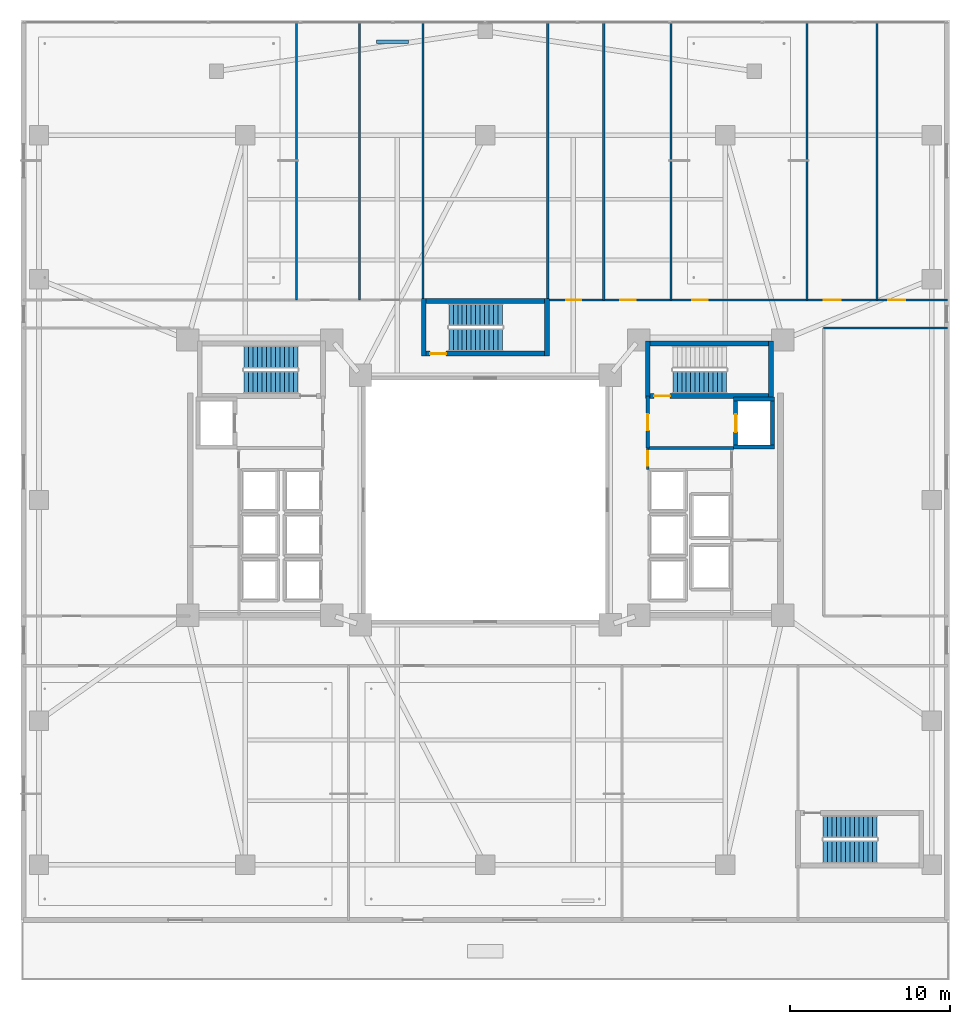
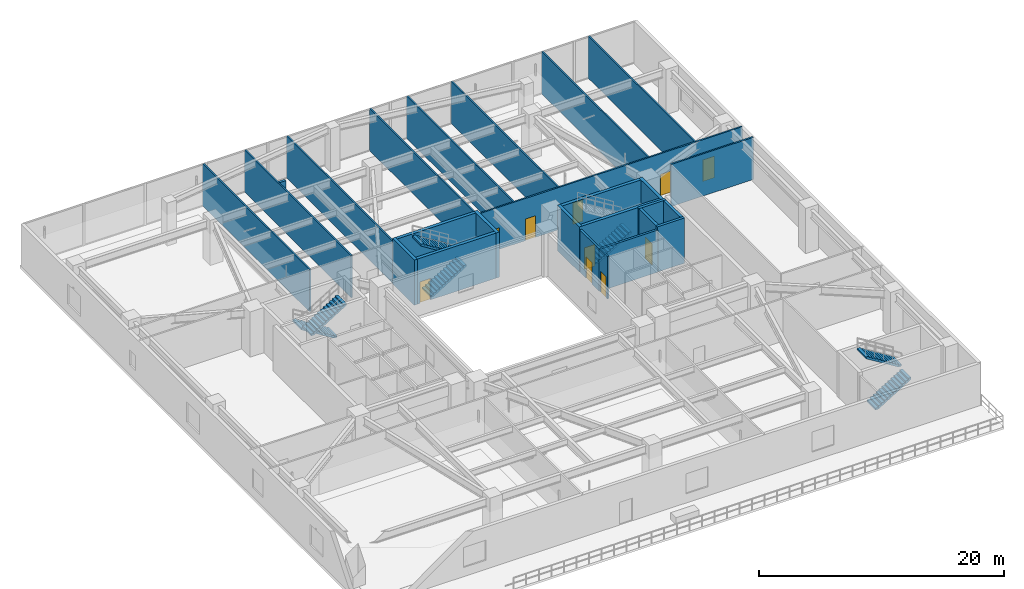
# One storey, part 11 of 22: 26 walls, 10 doors, 7 stair flights, 10 openings, 4 elements without a shape of their own.
"""IFC4 building model written with IfcOpenShell, lengths in metres."""

from ifc_helpers import new_model, si_unit, direction, frame, frame_2d, origin, place, context, subcontext, project, spatial, polyline, rectangle, outline, extrude, material, layer, layer_set, type_object, element, fill, aggregate, save


model = new_model("IFC4")

# Units and contexts
model_context = context("Model", 3, precision=1e-05, world=origin(), true_north=direction((0.0, 1.0)))
body_context = subcontext(model_context, "Body", "Model", "MODEL_VIEW")
ifc_project = project(units=[si_unit("LENGTHUNIT", "METRE"), si_unit("AREAUNIT", "SQUARE_METRE"), si_unit("VOLUMEUNIT", "CUBIC_METRE"), si_unit("PLANEANGLEUNIT", "RADIAN"), si_unit("MASSUNIT", "GRAM", prefix="KILO")], contexts=[model_context])

# Site, building, storey
site_placement = place(None, origin())
site = spatial("IfcSite", under=ifc_project, at=site_placement, CompositionType="ELEMENT")
building_placement = place(site_placement, origin())
building = spatial("IfcBuilding", under=site, at=building_placement, Name="Tarnavaz Court Tower", CompositionType="ELEMENT")
storey_placement = place(building_placement, frame((0.0, 0.0, 14.39990234375)))
storey = spatial("IfcBuildingStorey", under=building, at=storey_placement, Name="L03", CompositionType="ELEMENT", Elevation=14.39990234375)

# Wall, opening, door
ifc_material_1 = material(Name="Concrete C60/75", Category="concrete")
ifc_layer_1 = layer(ifc_material_1, 0.25)
ifc_layer_set_1 = layer_set([ifc_layer_1], Name="Concrete C60/75")
wall_type_1 = type_object("IfcWallType", Name="WL-CORE-250-C60", PredefinedType="SHEAR", material=ifc_layer_set_1)
wall_1_placement = place(storey_placement, frame((15.64990234375, 3.175048828125, 0.0), z_axis=(0.0, 0.0, 1.0), x_axis=(0.0, 1.0, 0.0)))
wall_1 = element("IfcWall", 1, at=wall_1_placement, inside=storey, type_object=wall_type_1, Name="L03 Lift FL-E1 Shaft Wall 049", PredefinedType="SHEAR", context=body_context, shape_type="SweptSolid", body=[
    extrude(rectangle(XDim=3.25, YDim=0.25, at=frame_2d((1.625, 0.0))), origin(), (0.0, 0.0, 1.0), 4.5),
])
opening_1_placement = place(wall_1_placement, frame((1.074951171875, 0.0, 0.0)))
opening_1 = element("IfcOpeningElement", 2, at=opening_1_placement, cuts=wall_1, Name="Opening LD1", PredefinedType="OPENING", context=body_context, shape_type="SweptSolid", body=[
    extrude(rectangle(XDim=1.10009765625, YDim=2.14990234375, at=frame_2d((0.550048828125, 1.074951171875))), frame((0.0, 0.135009765625, 0.0), z_axis=(0.0, -1.0, 0.0), x_axis=(1.0, 0.0, 0.0)), (0.0, 0.0, 1.0), 0.27001953125),
])
ifc_material_2 = material(Name="Stainless Steel", Category="steel")
door_type_1 = type_object("IfcDoorType", Name="DR-LD-1100", OperationType="NOTDEFINED", PredefinedType="DOOR", material=ifc_material_2)
door_1_placement = place(opening_1_placement, origin())
door_1 = element("IfcDoor", 3, at=door_1_placement, inside=storey, type_object=door_type_1, Name="L03 Lift Landing Door LD-FL-E1", OperationType="SLIDING_TO_LEFT", OverallHeight=2.14990234375, OverallWidth=1.10009765625, PredefinedType="DOOR", context=body_context, shape_type="SweptSolid", body=[
    extrude(rectangle(XDim=1.10009765625, YDim=2.14990234375, at=frame_2d((0.550048828125, 1.074951171875))), frame((0.0, 0.02490234375, 0.0), z_axis=(0.0, -1.0, 0.0), x_axis=(1.0, 0.0, 0.0)), (0.0, 0.0, 1.0), 0.050048828125),
])
fill(opening_1, door_1)

# Walls
wall_2_placement = place(storey_placement, frame((17.949951171875, 3.175048828125, 0.0), z_axis=(0.0, 0.0, 1.0), x_axis=(0.0, 1.0, 0.0)))
element("IfcWall", 4, at=wall_2_placement, inside=storey, type_object=wall_type_1, Name="L03 Lift FL-E1 Shaft Wall 050", PredefinedType="SHEAR", context=body_context, shape_type="SweptSolid", body=[
    extrude(rectangle(XDim=3.25, YDim=0.25, at=frame_2d((1.625, 0.0))), origin(), (0.0, 0.0, 1.0), 4.5),
])
for number, where, z_axis, x_axis, name in (
    (5, (15.52490234375, 3.300048828125, 0.0), (0.0, 0.0, 1.0), (1.0, 0.0, 0.0), "L03 Lift FL-E1 Shaft Wall 051"),
    (6, (15.52490234375, 6.300048828125, 0.0), (0.0, 0.0, 1.0), (1.0, 0.0, 0.0), "L03 Lift FL-E1 Shaft Wall 052"),
):
    element("IfcWall", number, at=place(storey_placement, frame(where, z_axis=z_axis, x_axis=x_axis)), inside=storey, type_object=wall_type_1, Name=name, PredefinedType="SHEAR", context=body_context, shape_type="SweptSolid", body=[
        extrude(rectangle(XDim=2.550048828125, YDim=0.25, at=frame_2d((1.27490234375, 0.0))), origin(), (0.0, 0.0, 1.0), 4.5),
    ])
ifc_layer_2 = layer(ifc_material_1, 0.300048828125)
ifc_layer_set_2 = layer_set([ifc_layer_2], Name="Concrete C60/75")
wall_type_2 = type_object("IfcWallType", Name="WL-CORE-300-C60", PredefinedType="SHEAR", material=ifc_layer_set_2)
wall_3_placement = place(storey_placement, frame((10.0, 9.7900390625, 0.0), z_axis=(0.0, 0.0, 1.0), x_axis=(1.0, 0.0, 0.0)))
element("IfcWall", 7, at=wall_3_placement, inside=storey, type_object=wall_type_2, Name="L03 East Stair Core Wall 005", PredefinedType="SHEAR", context=body_context, shape_type="SweptSolid", body=[
    extrude(rectangle(XDim=8.0, YDim=0.300048828125, at=frame_2d((4.0, 0.0))), origin(), (0.0, 0.0, 1.0), 4.5),
])

# Wall, opening, door
wall_4_placement = place(storey_placement, frame((10.0, 6.5, 0.0), z_axis=(0.0, 0.0, 1.0), x_axis=(1.0, 0.0, 0.0)))
wall_4 = element("IfcWall", 8, at=wall_4_placement, inside=storey, type_object=wall_type_2, Name="L03 East Stair Core Wall 006", PredefinedType="SHEAR", context=body_context, shape_type="SweptSolid", body=[
    extrude(rectangle(XDim=8.0, YDim=0.300048828125, at=frame_2d((4.0, 0.0))), origin(), (0.0, 0.0, 1.0), 4.5),
])
opening_2_placement = place(wall_4_placement, frame((0.550048828125, 0.0, 0.0)))
opening_2 = element("IfcOpeningElement", 9, at=opening_2_placement, cuts=wall_4, Name="Opening D01", PredefinedType="OPENING", context=body_context, shape_type="SweptSolid", body=[
    extrude(rectangle(XDim=1.0, YDim=2.14990234375, at=frame_2d((0.5, 1.074951171875))), frame((0.0, 0.159912109375, 0.0), z_axis=(0.0, -1.0, 0.0), x_axis=(1.0, 0.0, 0.0)), (0.0, 0.0, 1.0), 0.320068359375),
])
ifc_material_3 = material(Name="Fire-Rated Hardwood Timber Core", Category="wood")
door_type_2 = type_object("IfcDoorType", Name="DR-FD90-1000", OperationType="NOTDEFINED", PredefinedType="DOOR", material=ifc_material_3)
door_2_placement = place(opening_2_placement, origin())
door_2 = element("IfcDoor", 10, at=door_2_placement, inside=storey, type_object=door_type_2, Name="L03 Stair ST-E1 Exit Door", OperationType="SINGLE_SWING_RIGHT", OverallHeight=2.14990234375, OverallWidth=1.0, PredefinedType="DOOR", context=body_context, shape_type="SweptSolid", body=[
    extrude(rectangle(XDim=1.0, YDim=2.14990234375, at=frame_2d((0.5, 1.074951171875))), frame((0.0, 0.02490234375, 0.0), z_axis=(0.0, -1.0, 0.0), x_axis=(1.0, 0.0, 0.0)), (0.0, 0.0, 1.0), 0.050048828125),
])
fill(opening_2, door_2)

# Walls
for number, where, z_axis, x_axis, name in (
    (11, (10.14990234375, 6.35009765625, 0.0), (0.0, 0.0, 1.0), (0.0, 1.0, 0.0), "L03 East Stair Core Wall 007"),
    (12, (17.85009765625, 6.35009765625, 0.0), (0.0, 0.0, 1.0), (0.0, 1.0, 0.0), "L03 East Stair Core Wall 008"),
):
    element("IfcWall", number, at=place(storey_placement, frame(where, z_axis=z_axis, x_axis=x_axis)), inside=storey, type_object=wall_type_2, Name=name, PredefinedType="SHEAR", context=body_context, shape_type="SweptSolid", body=[
        extrude(rectangle(XDim=3.58984375, YDim=0.300048828125, at=frame_2d((1.794921875, 0.0))), origin(), (0.0, 0.0, 1.0), 4.5),
    ])
wall_5_placement = place(storey_placement, frame((-4.0, 12.43994140625, 0.0), z_axis=(0.0, 0.0, 1.0), x_axis=(1.0, 0.0, 0.0)))
element("IfcWall", 13, at=wall_5_placement, inside=storey, type_object=wall_type_2, Name="L03 North Stair Core Wall 009", PredefinedType="SHEAR", context=body_context, shape_type="SweptSolid", body=[
    extrude(rectangle(XDim=8.0, YDim=0.300048828125, at=frame_2d((4.0, 0.0))), origin(), (0.0, 0.0, 1.0), 4.5),
])

# Wall, opening, door
wall_6_placement = place(storey_placement, frame((-4.0, 9.14990234375, 0.0), z_axis=(0.0, 0.0, 1.0), x_axis=(1.0, 0.0, 0.0)))
wall_6 = element("IfcWall", 14, at=wall_6_placement, inside=storey, type_object=wall_type_2, Name="L03 North Stair Core Wall 010", PredefinedType="SHEAR", context=body_context, shape_type="SweptSolid", body=[
    extrude(rectangle(XDim=8.0, YDim=0.300048828125, at=frame_2d((4.0, 0.0))), origin(), (0.0, 0.0, 1.0), 4.5),
])
opening_3_placement = place(wall_6_placement, frame((0.550048828125, 0.0, 0.0)))
opening_3 = element("IfcOpeningElement", 15, at=opening_3_placement, cuts=wall_6, Name="Opening D01", PredefinedType="OPENING", context=body_context, shape_type="SweptSolid", body=[
    extrude(rectangle(XDim=1.0, YDim=2.14990234375, at=frame_2d((0.5, 1.074951171875))), frame((0.0, 0.159912109375, 0.0), z_axis=(0.0, -1.0, 0.0), x_axis=(1.0, 0.0, 0.0)), (0.0, 0.0, 1.0), 0.320068359375),
])
door_3_placement = place(opening_3_placement, origin())
door_3 = element("IfcDoor", 16, at=door_3_placement, inside=storey, type_object=door_type_2, Name="L03 Stair ST-N1 Exit Door", OperationType="SINGLE_SWING_LEFT", OverallHeight=2.14990234375, OverallWidth=1.0, PredefinedType="DOOR", context=body_context, shape_type="SweptSolid", body=[
    extrude(rectangle(XDim=1.0, YDim=2.14990234375, at=frame_2d((0.5, 1.074951171875))), frame((0.0, 0.02490234375, 0.0), z_axis=(0.0, -1.0, 0.0), x_axis=(1.0, 0.0, 0.0)), (0.0, 0.0, 1.0), 0.050048828125),
])
fill(opening_3, door_3)

# Walls
for number, where, z_axis, x_axis, name in (
    (17, (-3.85009765625, 9.0, 0.0), (0.0, 0.0, 1.0), (0.0, 1.0, 0.0), "L03 North Stair Core Wall 011"),
    (18, (3.85009765625, 9.0, 0.0), (0.0, 0.0, 1.0), (0.0, 1.0, 0.0), "L03 North Stair Core Wall 012"),
):
    element("IfcWall", number, at=place(storey_placement, frame(where, z_axis=z_axis, x_axis=x_axis)), inside=storey, type_object=wall_type_2, Name=name, PredefinedType="SHEAR", context=body_context, shape_type="SweptSolid", body=[
        extrude(rectangle(XDim=3.590087890625, YDim=0.300048828125, at=frame_2d((1.794921875, 0.0))), origin(), (0.0, 0.0, 1.0), 4.5),
    ])

# Wall, openings, doors
ifc_material_4 = material(Name="Gypsum Fire-Board on Acoustic Metal Stud", Category="masonry")
ifc_layer_3 = layer(ifc_material_4, 0.14990234375)
ifc_layer_set_3 = layer_set([ifc_layer_3], Name="Gypsum Fire-Board on Acoustic Metal Stud")
wall_type_3 = type_object("IfcWallType", Name="WL-FIRE-150", PredefinedType="PARTITIONING", material=ifc_layer_set_3)
wall_7_placement = place(storey_placement, frame((3.85009765625, 12.5, 0.0), z_axis=(0.0, 0.0, 1.0), x_axis=(1.0, 0.0, 0.0)))
wall_7 = element("IfcWall", 19, at=wall_7_placement, inside=storey, type_object=wall_type_3, Name="L03 NE Wing Corridor Wall 086", PredefinedType="PARTITIONING", context=body_context, shape_type="SweptSolid", body=[
    extrude(rectangle(XDim=25.02978515625, YDim=0.14990234375, at=frame_2d((12.514892578125, 0.0))), origin(), (0.0, 0.0, 1.0), 4.2001953125),
])
opening_4_placement = place(wall_7_placement, frame((1.199951171875, 0.0, 0.0)))
opening_4 = element("IfcOpeningElement", 20, at=opening_4_placement, cuts=wall_7, Name="Opening D13", PredefinedType="OPENING", context=body_context, shape_type="SweptSolid", body=[
    extrude(rectangle(XDim=0.949951171875, YDim=2.14990234375, at=frame_2d((0.47509765625, 1.074951171875))), frame((0.0, 0.0849609375, 0.0), z_axis=(0.0, -1.0, 0.0), x_axis=(1.0, 0.0, 0.0)), (0.0, 0.0, 1.0), 0.169921875),
])
opening_5_placement = place(wall_7_placement, frame((4.60009765625, 0.0, 0.0)))
opening_5 = element("IfcOpeningElement", 21, at=opening_5_placement, cuts=wall_7, Name="Opening D13", PredefinedType="OPENING", context=body_context, shape_type="SweptSolid", body=[
    extrude(rectangle(XDim=0.949951171875, YDim=2.14990234375, at=frame_2d((0.47509765625, 1.074951171875))), frame((0.0, 0.0849609375, 0.0), z_axis=(0.0, -1.0, 0.0), x_axis=(1.0, 0.0, 0.0)), (0.0, 0.0, 1.0), 0.169921875),
])
opening_6_placement = place(wall_7_placement, frame((9.10009765625, 0.0, 0.0)))
opening_6 = element("IfcOpeningElement", 22, at=opening_6_placement, cuts=wall_7, Name="Opening D13", PredefinedType="OPENING", context=body_context, shape_type="SweptSolid", body=[
    extrude(rectangle(XDim=0.949951171875, YDim=2.14990234375, at=frame_2d((0.47509765625, 1.074951171875))), frame((0.0, 0.0849609375, 0.0), z_axis=(0.0, -1.0, 0.0), x_axis=(1.0, 0.0, 0.0)), (0.0, 0.0, 1.0), 0.169921875),
])
opening_7_placement = place(wall_7_placement, frame((17.300048828125, 0.0, 0.0)))
opening_7 = element("IfcOpeningElement", 23, at=opening_7_placement, cuts=wall_7, Name="Opening D12", PredefinedType="OPENING", context=body_context, shape_type="SweptSolid", body=[
    extrude(rectangle(XDim=1.080078125, YDim=2.14990234375, at=frame_2d((0.5400390625, 1.074951171875))), frame((0.0, 0.0849609375, 0.0), z_axis=(0.0, -1.0, 0.0), x_axis=(1.0, 0.0, 0.0)), (0.0, 0.0, 1.0), 0.169921875),
])
opening_8_placement = place(wall_7_placement, frame((21.330078125, 0.0, 0.0)))
opening_8 = element("IfcOpeningElement", 24, at=opening_8_placement, cuts=wall_7, Name="Opening D12", PredefinedType="OPENING", context=body_context, shape_type="SweptSolid", body=[
    extrude(rectangle(XDim=1.080078125, YDim=2.14990234375, at=frame_2d((0.5400390625, 1.074951171875))), frame((0.0, 0.0849609375, 0.0), z_axis=(0.0, -1.0, 0.0), x_axis=(1.0, 0.0, 0.0)), (0.0, 0.0, 1.0), 0.169921875),
])
ifc_material_5 = material(Name="Engineered Oak Timber", Category="wood")
door_type_3 = type_object("IfcDoorType", Name="DR-INT-1100", OperationType="NOTDEFINED", PredefinedType="DOOR", material=ifc_material_5)
door_4_placement = place(opening_7_placement, origin())
door_4 = element("IfcDoor", 25, at=door_4_placement, inside=storey, type_object=door_type_3, Name="L03 After-School Study and Reading Library Door", OperationType="SINGLE_SWING_RIGHT", OverallHeight=2.14990234375, OverallWidth=1.080078125, PredefinedType="DOOR", context=body_context, shape_type="SweptSolid", body=[
    extrude(rectangle(XDim=1.080078125, YDim=2.14990234375, at=frame_2d((0.5400390625, 1.074951171875))), frame((0.0, 0.02490234375, 0.0), z_axis=(0.0, -1.0, 0.0), x_axis=(1.0, 0.0, 0.0)), (0.0, 0.0, 1.0), 0.050048828125),
])
fill(opening_7, door_4)
door_5_placement = place(opening_8_placement, origin())
door_5 = element("IfcDoor", 26, at=door_5_placement, inside=storey, type_object=door_type_3, Name="L03 Specialist Office Door", OperationType="SINGLE_SWING_LEFT", OverallHeight=2.14990234375, OverallWidth=1.080078125, PredefinedType="DOOR", context=body_context, shape_type="SweptSolid", body=[
    extrude(rectangle(XDim=1.080078125, YDim=2.14990234375, at=frame_2d((0.5400390625, 1.074951171875))), frame((0.0, 0.02490234375, 0.0), z_axis=(0.0, -1.0, 0.0), x_axis=(1.0, 0.0, 0.0)), (0.0, 0.0, 1.0), 0.050048828125),
])
fill(opening_8, door_5)
door_type_4 = type_object("IfcDoorType", Name="DR-INT-950", OperationType="NOTDEFINED", PredefinedType="DOOR", material=ifc_material_5)
door_6_placement = place(opening_4_placement, origin())
door_6 = element("IfcDoor", 27, at=door_6_placement, inside=storey, type_object=door_type_4, Name="L03 L03 Accessible WC Door", OperationType="SINGLE_SWING_LEFT", OverallHeight=2.14990234375, OverallWidth=0.949951171875, PredefinedType="DOOR", context=body_context, shape_type="SweptSolid", body=[
    extrude(rectangle(XDim=0.949951171875, YDim=2.14990234375, at=frame_2d((0.47509765625, 1.074951171875))), frame((0.0, 0.02490234375, 0.0), z_axis=(0.0, -1.0, 0.0), x_axis=(1.0, 0.0, 0.0)), (0.0, 0.0, 1.0), 0.050048828125),
])
fill(opening_4, door_6)
door_7_placement = place(opening_5_placement, origin())
door_7 = element("IfcDoor", 28, at=door_7_placement, inside=storey, type_object=door_type_4, Name="L03 L03 Public Toilets Door", OperationType="SINGLE_SWING_RIGHT", OverallHeight=2.14990234375, OverallWidth=0.949951171875, PredefinedType="DOOR", context=body_context, shape_type="SweptSolid", body=[
    extrude(rectangle(XDim=0.949951171875, YDim=2.14990234375, at=frame_2d((0.47509765625, 1.074951171875))), frame((0.0, 0.02490234375, 0.0), z_axis=(0.0, -1.0, 0.0), x_axis=(1.0, 0.0, 0.0)), (0.0, 0.0, 1.0), 0.050048828125),
])
fill(opening_5, door_7)
door_8_placement = place(opening_6_placement, origin())
door_8 = element("IfcDoor", 29, at=door_8_placement, inside=storey, type_object=door_type_4, Name="L03 L03 Administration Office Door", OperationType="SINGLE_SWING_LEFT", OverallHeight=2.14990234375, OverallWidth=0.949951171875, PredefinedType="DOOR", context=body_context, shape_type="SweptSolid", body=[
    extrude(rectangle(XDim=0.949951171875, YDim=2.14990234375, at=frame_2d((0.47509765625, 1.074951171875))), frame((0.0, 0.02490234375, 0.0), z_axis=(0.0, -1.0, 0.0), x_axis=(1.0, 0.0, 0.0)), (0.0, 0.0, 1.0), 0.050048828125),
])
fill(opening_6, door_8)

# Walls
wall_8_placement = place(storey_placement, frame((21.14990234375, 10.75, 0.0), z_axis=(0.0, 0.0, 1.0), x_axis=(1.0, 0.0, 0.0)))
element("IfcWall", 30, at=wall_8_placement, inside=storey, type_object=wall_type_3, Name="L03 Interior Partition 106", PredefinedType="PARTITIONING", context=body_context, shape_type="SweptSolid", body=[
    extrude(rectangle(XDim=7.72998046875, YDim=0.14990234375, at=frame_2d((3.864990234375, 0.0))), origin(), (0.0, 0.0, 1.0), 4.2001953125),
])
ifc_material_6 = material(Name="Autoclaved Aerated Concrete Blockwork", Category="masonry")
ifc_layer_4 = layer(ifc_material_6, 0.199951171875)
ifc_layer_set_4 = layer_set([ifc_layer_4], Name="Autoclaved Aerated Concrete Blockwork")
wall_type_4 = type_object("IfcWallType", Name="WL-FIRE-200", PredefinedType="SOLIDWALL", material=ifc_layer_set_4)
wall_9_placement = place(storey_placement, frame((10.14990234375, 3.25, 0.0), z_axis=(0.0, 0.0, 1.0), x_axis=(1.0, 0.0, 0.0)))
element("IfcWall", 31, at=wall_9_placement, inside=storey, type_object=wall_type_4, Name="L03 East Firefighting Lobby Wall 019", PredefinedType="SOLIDWALL", context=body_context, shape_type="SweptSolid", body=[
    extrude(rectangle(XDim=5.400146484375, YDim=0.199951171875, at=frame_2d((2.7001953125, 0.0))), origin(), (0.0, 0.0, 1.0), 4.2001953125),
])

# Wall, opening, door
wall_10_placement = place(storey_placement, frame((10.14990234375, 3.25, 0.0), z_axis=(0.0, 0.0, 1.0), x_axis=(0.0, 1.0, 0.0)))
wall_10 = element("IfcWall", 32, at=wall_10_placement, inside=storey, type_object=wall_type_4, Name="L03 East Firefighting Lobby Wall 020", PredefinedType="SOLIDWALL", context=body_context, shape_type="SweptSolid", body=[
    extrude(rectangle(XDim=3.25, YDim=0.199951171875, at=frame_2d((1.625, 0.0))), origin(), (0.0, 0.0, 1.0), 4.2001953125),
])
opening_9_placement = place(wall_10_placement, frame((1.10009765625, 0.0, 0.0)))
opening_9 = element("IfcOpeningElement", 33, at=opening_9_placement, cuts=wall_10, Name="Opening D05", PredefinedType="OPENING", context=body_context, shape_type="SweptSolid", body=[
    extrude(rectangle(XDim=1.02001953125, YDim=2.14990234375, at=frame_2d((0.510009765625, 1.074951171875))), frame((0.0, 0.10986328125, 0.0), z_axis=(0.0, -1.0, 0.0), x_axis=(1.0, 0.0, 0.0)), (0.0, 0.0, 1.0), 0.219970703125),
])
door_type_5 = type_object("IfcDoorType", Name="DR-FD60-1000", OperationType="NOTDEFINED", PredefinedType="DOOR", material=ifc_material_3)
door_9_placement = place(opening_9_placement, origin())
door_9 = element("IfcDoor", 34, at=door_9_placement, inside=storey, type_object=door_type_5, Name="L03 East Firefighting Lobby Door", OperationType="SINGLE_SWING_LEFT", OverallHeight=2.14990234375, OverallWidth=1.02001953125, PredefinedType="DOOR", context=body_context, shape_type="SweptSolid", body=[
    extrude(rectangle(XDim=1.02001953125, YDim=2.14990234375, at=frame_2d((0.510009765625, 1.074951171875))), frame((0.0, 0.02490234375, 0.0), z_axis=(0.0, -1.0, 0.0), x_axis=(1.0, 0.0, 0.0)), (0.0, 0.0, 1.0), 0.050048828125),
])
fill(opening_9, door_9)

# Wall
ifc_material_7 = material(Name="Precast Concrete C40/50", Category="concrete")
ifc_layer_5 = layer(ifc_material_7, 0.219970703125)
ifc_layer_set_5 = layer_set([ifc_layer_5], Name="Precast Concrete C40/50")
wall_type_5 = type_object("IfcWallType", Name="WL-PARAPET-220", PredefinedType="PARAPET", material=ifc_layer_set_5)
wall_11_placement = place(storey_placement, frame((-6.800048828125, 28.64990234375, 0.0), z_axis=(0.0, 0.0, 1.0), x_axis=(1.0, 0.0, 0.0)))
element("IfcWall", 35, at=wall_11_placement, inside=storey, type_object=wall_type_5, Name="L03 North Prow Terracotta Parapet Upstand", PredefinedType="PARAPET", context=body_context, shape_type="SweptSolid", body=[
    extrude(rectangle(XDim=2.0, YDim=0.219970703125, at=frame_2d((1.0, 0.0))), origin(), (0.0, 0.0, 1.0), 0.85009765625),
])

# Wall, opening, door
ifc_material_8 = material(Name="Gypsum Plasterboard Acoustic Partition", Category="masonry")
ifc_layer_6 = layer(ifc_material_8, 0.139892578125)
ifc_layer_set_6 = layer_set([ifc_layer_6], Name="Gypsum Plasterboard Acoustic Partition")
wall_type_6 = type_object("IfcWallType", Name="WL-PART-150", PredefinedType="PARTITIONING", material=ifc_layer_set_6)
wall_12_placement = place(storey_placement, frame((10.14990234375, 1.919921875, 0.0), z_axis=(0.0, 0.0, 1.0), x_axis=(0.0, 1.0, 0.0)))
wall_12 = element("IfcWall", 36, at=wall_12_placement, inside=storey, type_object=wall_type_6, Name="L03 Interior Partition 082", PredefinedType="PARTITIONING", context=body_context, shape_type="SweptSolid", body=[
    extrude(rectangle(XDim=1.330078125, YDim=0.139892578125, at=frame_2d((0.6650390625, 0.0))), origin(), (0.0, 0.0, 1.0), 4.2001953125),
])
opening_10_placement = place(wall_12_placement, frame((0.219970703125, 0.0, 0.0)))
opening_10 = element("IfcOpeningElement", 37, at=opening_10_placement, cuts=wall_12, Name="Opening D09", PredefinedType="OPENING", context=body_context, shape_type="SweptSolid", body=[
    extrude(rectangle(XDim=0.89990234375, YDim=2.080078125, at=frame_2d((0.449951171875, 1.0400390625))), frame((0.0, 0.079833984375, 0.0), z_axis=(0.0, -1.0, 0.0), x_axis=(1.0, 0.0, 0.0)), (0.0, 0.0, 1.0), 0.159912109375),
])
door_type_6 = type_object("IfcDoorType", Name="DR-FD30-900", OperationType="NOTDEFINED", PredefinedType="DOOR", material=ifc_material_3)
door_10_placement = place(opening_10_placement, origin())
door_10 = element("IfcDoor", 38, at=door_10_placement, inside=storey, type_object=door_type_6, Name="L03 East Core Service Lobby Door", OperationType="SINGLE_SWING_LEFT", OverallHeight=2.080078125, OverallWidth=0.89990234375, PredefinedType="DOOR", context=body_context, shape_type="SweptSolid", body=[
    extrude(rectangle(XDim=0.89990234375, YDim=2.080078125, at=frame_2d((0.449951171875, 1.0400390625))), frame((0.0, 0.02490234375, 0.0), z_axis=(0.0, -1.0, 0.0), x_axis=(1.0, 0.0, 0.0)), (0.0, 0.0, 1.0), 0.050048828125),
])
fill(opening_10, door_10)

# Walls
for number, where, z_axis, x_axis, name in (
    (39, (-3.89990234375, 12.5, 0.0), (0.0, 0.0, 1.0), (0.0, 1.0, 0.0), "L03 Interior Partition 091"),
    (40, (3.89990234375, 12.5, 0.0), (0.0, 0.0, 1.0), (0.0, 1.0, 0.0), "L03 Interior Partition 092"),
    (41, (-11.800048828125, 12.5, 0.0), (0.0, 0.0, 1.0), (0.0, 1.0, 0.0), "L03 Interior Partition 093"),
    (42, (-7.860107421875, 12.5, 0.0), (0.0, 0.0, 1.0), (0.0, 1.0, 0.0), "L03 Interior Partition 094"),
    (43, (7.39990234375, 12.5, 0.0), (0.0, 0.0, 1.0), (0.0, 1.0, 0.0), "L03 Interior Partition 095"),
    (44, (11.60009765625, 12.5, 0.0), (0.0, 0.0, 1.0), (0.0, 1.0, 0.0), "L03 Interior Partition 096"),
    (45, (20.10009765625, 12.5, 0.0), (0.0, 0.0, 1.0), (0.0, 1.0, 0.0), "L03 Interior Partition 097"),
    (46, (24.489990234375, 12.5, 0.0), (0.0, 0.0, 1.0), (0.0, 1.0, 0.0), "L03 Interior Partition 098"),
):
    element("IfcWall", number, at=place(storey_placement, frame(where, z_axis=z_axis, x_axis=x_axis)), inside=storey, type_object=wall_type_6, Name=name, PredefinedType="PARTITIONING", context=body_context, shape_type="SweptSolid", body=[
        extrude(rectangle(XDim=17.3798828125, YDim=0.139892578125, at=frame_2d((8.68994140625, 0.0))), origin(), (0.0, 0.0, 1.0), 4.2001953125),
    ])

# Stair, stair flights
ifc_material_9 = material(Name="Concrete C40/50", Category="concrete")
stair_type = type_object("IfcStairType", Name="ST-TWR-26R", PredefinedType="HALF_TURN_STAIR", material=ifc_material_9)
stair_1_placement = place(storey_placement, origin())
stair_1 = element("IfcStair", 47, at=stair_1_placement, inside=storey, type_object=stair_type, Name="L03 West Core Pressurized Exit Stair ST-W1", PredefinedType="HALF_TURN_STAIR")
stair_flight_type = type_object("IfcStairFlightType", Name="SFL-RC-26R", PredefinedType="STRAIGHT", material=ifc_material_9)
stair_flight_1_placement = place(storey_placement, frame((-11.719970703125, 8.929931640625, 0.0), z_axis=(0.0, 0.0, 1.0), x_axis=(-1.0, 0.0, 0.0)))
stair_flight_1 = element("IfcStairFlight", 48, at=stair_flight_1_placement, type_object=stair_flight_type, Name="ST-W1 flight 1", NumberOfRisers=13, NumberOfTreads=12, PredefinedType="STRAIGHT", RiserHeight=0.173076923, TreadLength=0.28, context=body_context, shape_type="SweptSolid", body=[
    extrude(outline(polyline([(0.0, 0.0), (0.0, 0.173095703125), (0.280029296875, 0.173095703125), (0.280029296875, 0.34619140625), (0.56005859375, 0.34619140625), (0.56005859375, 0.519287109375), (0.840087890625, 0.519287109375), (0.840087890625, 0.6923828125), (1.1201171875, 0.6923828125), (1.1201171875, 0.865478515625), (1.39990234375, 0.865478515625), (1.39990234375, 1.03857421875), (1.679931640625, 1.03857421875), (1.679931640625, 1.21142578125), (1.9599609375, 1.21142578125), (1.9599609375, 1.384521484375), (2.239990234375, 1.384521484375), (2.239990234375, 1.5576171875), (2.52001953125, 1.5576171875), (2.52001953125, 1.730712890625), (2.800048828125, 1.730712890625), (2.800048828125, 1.90380859375), (3.080078125, 1.90380859375), (3.080078125, 2.076904296875), (3.360107421875, 2.076904296875), (3.360107421875, 2.25), (3.360107421875, 1.900634765625), (0.28515625, 0.0), (0.0, 0.0)])), frame((0.0, 0.7099609375, 0.0), z_axis=(0.0, -1.0, 0.0), x_axis=(1.0, 0.0, 0.0)), (0.0, 0.0, 1.0), 1.419921875),
])
stair_flight_2_placement = place(storey_placement, frame((-15.080078125, 7.360107421875, 2.25), z_axis=(0.0, 0.0, 1.0), x_axis=(1.0, 0.0, 0.0)))
stair_flight_2 = element("IfcStairFlight", 49, at=stair_flight_2_placement, type_object=stair_flight_type, Name="ST-W1 flight 2", NumberOfRisers=13, NumberOfTreads=12, PredefinedType="STRAIGHT", RiserHeight=0.173076923, TreadLength=0.28, context=body_context, shape_type="SweptSolid", body=[
    extrude(outline(polyline([(0.0, 0.0), (0.0, 0.173095703125), (0.280029296875, 0.173095703125), (0.280029296875, 0.34619140625), (0.56005859375, 0.34619140625), (0.56005859375, 0.519287109375), (0.840087890625, 0.519287109375), (0.840087890625, 0.6923828125), (1.1201171875, 0.6923828125), (1.1201171875, 0.865478515625), (1.39990234375, 0.865478515625), (1.39990234375, 1.03857421875), (1.679931640625, 1.03857421875), (1.679931640625, 1.21142578125), (1.9599609375, 1.21142578125), (1.9599609375, 1.384521484375), (2.239990234375, 1.384521484375), (2.239990234375, 1.5576171875), (2.52001953125, 1.5576171875), (2.52001953125, 1.730712890625), (2.800048828125, 1.730712890625), (2.800048828125, 1.90380859375), (3.080078125, 1.90380859375), (3.080078125, 2.076904296875), (3.360107421875, 2.076904296875), (3.360107421875, 2.25), (3.360107421875, 1.900634765625), (0.28515625, 0.0), (0.0, 0.0)])), frame((0.0, 0.7099609375, 0.0), z_axis=(0.0, -1.0, 0.0), x_axis=(1.0, 0.0, 0.0)), (0.0, 0.0, 1.0), 1.419921875),
])
aggregate(stair_1, [stair_flight_1, stair_flight_2])

# Stair, stair flight
stair_2_placement = place(storey_placement, origin())
stair_2 = element("IfcStair", 50, at=stair_2_placement, inside=storey, type_object=stair_type, Name="L03 East Core Pressurized Exit Stair ST-E1", PredefinedType="HALF_TURN_STAIR")
stair_flight_3_placement = place(storey_placement, frame((11.719970703125, 7.360107421875, 0.0), z_axis=(0.0, 0.0, 1.0), x_axis=(1.0, 0.0, 0.0)))
stair_flight_3 = element("IfcStairFlight", 51, at=stair_flight_3_placement, type_object=stair_flight_type, Name="ST-E1 flight 1", NumberOfRisers=13, NumberOfTreads=12, PredefinedType="STRAIGHT", RiserHeight=0.173076923, TreadLength=0.28, context=body_context, shape_type="SweptSolid", body=[
    extrude(outline(polyline([(0.0, 0.0), (0.0, 0.173095703125), (0.280029296875, 0.173095703125), (0.280029296875, 0.34619140625), (0.56005859375, 0.34619140625), (0.56005859375, 0.519287109375), (0.840087890625, 0.519287109375), (0.840087890625, 0.6923828125), (1.1201171875, 0.6923828125), (1.1201171875, 0.865478515625), (1.39990234375, 0.865478515625), (1.39990234375, 1.03857421875), (1.679931640625, 1.03857421875), (1.679931640625, 1.21142578125), (1.9599609375, 1.21142578125), (1.9599609375, 1.384521484375), (2.239990234375, 1.384521484375), (2.239990234375, 1.5576171875), (2.52001953125, 1.5576171875), (2.52001953125, 1.730712890625), (2.800048828125, 1.730712890625), (2.800048828125, 1.90380859375), (3.080078125, 1.90380859375), (3.080078125, 2.076904296875), (3.360107421875, 2.076904296875), (3.360107421875, 2.25), (3.360107421875, 1.900634765625), (0.28515625, 0.0), (0.0, 0.0)])), frame((0.0, 0.7099609375, 0.0), z_axis=(0.0, -1.0, 0.0), x_axis=(1.0, 0.0, 0.0)), (0.0, 0.0, 1.0), 1.419921875),
])
aggregate(stair_2, [stair_flight_3])

# Stair, stair flights
stair_3_placement = place(storey_placement, origin())
stair_3 = element("IfcStair", 52, at=stair_3_placement, inside=storey, type_object=stair_type, Name="L03 North Ring Pressurized Exit Stair ST-N1", PredefinedType="HALF_TURN_STAIR")
stair_flight_4_placement = place(storey_placement, frame((-2.280029296875, 10.010009765625, 0.0), z_axis=(0.0, 0.0, 1.0), x_axis=(1.0, 0.0, 0.0)))
stair_flight_4 = element("IfcStairFlight", 53, at=stair_flight_4_placement, type_object=stair_flight_type, Name="ST-N1 flight 1", NumberOfRisers=13, NumberOfTreads=12, PredefinedType="STRAIGHT", RiserHeight=0.173076923, TreadLength=0.28, context=body_context, shape_type="SweptSolid", body=[
    extrude(outline(polyline([(0.0, 0.0), (0.0, 0.173095703125), (0.280029296875, 0.173095703125), (0.280029296875, 0.34619140625), (0.56005859375, 0.34619140625), (0.56005859375, 0.519287109375), (0.840087890625, 0.519287109375), (0.840087890625, 0.6923828125), (1.1201171875, 0.6923828125), (1.1201171875, 0.865478515625), (1.39990234375, 0.865478515625), (1.39990234375, 1.03857421875), (1.679931640625, 1.03857421875), (1.679931640625, 1.21142578125), (1.9599609375, 1.21142578125), (1.9599609375, 1.384521484375), (2.239990234375, 1.384521484375), (2.239990234375, 1.5576171875), (2.52001953125, 1.5576171875), (2.52001953125, 1.730712890625), (2.800048828125, 1.730712890625), (2.800048828125, 1.90380859375), (3.080078125, 1.90380859375), (3.080078125, 2.076904296875), (3.360107421875, 2.076904296875), (3.360107421875, 2.25), (3.360107421875, 1.900634765625), (0.28515625, 0.0), (0.0, 0.0)])), frame((0.0, 0.7099609375, 0.0), z_axis=(0.0, -1.0, 0.0), x_axis=(1.0, 0.0, 0.0)), (0.0, 0.0, 1.0), 1.419921875),
])
stair_flight_5_placement = place(storey_placement, frame((1.080078125, 11.580078125, 2.25), z_axis=(0.0, 0.0, 1.0), x_axis=(-1.0, 0.0, 0.0)))
stair_flight_5 = element("IfcStairFlight", 54, at=stair_flight_5_placement, type_object=stair_flight_type, Name="ST-N1 flight 2", NumberOfRisers=13, NumberOfTreads=12, PredefinedType="STRAIGHT", RiserHeight=0.173076923, TreadLength=0.28, context=body_context, shape_type="SweptSolid", body=[
    extrude(outline(polyline([(0.0, 0.0), (0.0, 0.173095703125), (0.280029296875, 0.173095703125), (0.280029296875, 0.34619140625), (0.56005859375, 0.34619140625), (0.56005859375, 0.519287109375), (0.840087890625, 0.519287109375), (0.840087890625, 0.6923828125), (1.1201171875, 0.6923828125), (1.1201171875, 0.865478515625), (1.39990234375, 0.865478515625), (1.39990234375, 1.03857421875), (1.679931640625, 1.03857421875), (1.679931640625, 1.21142578125), (1.9599609375, 1.21142578125), (1.9599609375, 1.384521484375), (2.239990234375, 1.384521484375), (2.239990234375, 1.5576171875), (2.52001953125, 1.5576171875), (2.52001953125, 1.730712890625), (2.800048828125, 1.730712890625), (2.800048828125, 1.90380859375), (3.080078125, 1.90380859375), (3.080078125, 2.076904296875), (3.360107421875, 2.076904296875), (3.360107421875, 2.25), (3.360107421875, 1.900634765625), (0.28515625, 0.0), (0.0, 0.0)])), frame((0.0, 0.7099609375, 0.0), z_axis=(0.0, -1.0, 0.0), x_axis=(1.0, 0.0, 0.0)), (0.0, 0.0, 1.0), 1.419921875),
])
aggregate(stair_3, [stair_flight_4, stair_flight_5])

stair_4_placement = place(storey_placement, origin())
stair_4 = element("IfcStair", 55, at=stair_4_placement, inside=storey, type_object=stair_type, Name="L03 Podium Clinic Exit Stair ST-P1", PredefinedType="HALF_TURN_STAIR")
stair_flight_6_placement = place(storey_placement, frame((21.1201171875, -21.989990234375, 0.0), z_axis=(0.0, 0.0, 1.0), x_axis=(1.0, 0.0, 0.0)))
stair_flight_6 = element("IfcStairFlight", 56, at=stair_flight_6_placement, type_object=stair_flight_type, Name="ST-P1 flight 1", NumberOfRisers=13, NumberOfTreads=12, PredefinedType="STRAIGHT", RiserHeight=0.173076923, TreadLength=0.28, context=body_context, shape_type="SweptSolid", body=[
    extrude(outline(polyline([(0.0, 0.0), (0.0, 0.173095703125), (0.280029296875, 0.173095703125), (0.280029296875, 0.34619140625), (0.56005859375, 0.34619140625), (0.56005859375, 0.519287109375), (0.840087890625, 0.519287109375), (0.840087890625, 0.6923828125), (1.1201171875, 0.6923828125), (1.1201171875, 0.865478515625), (1.39990234375, 0.865478515625), (1.39990234375, 1.03857421875), (1.679931640625, 1.03857421875), (1.679931640625, 1.21142578125), (1.9599609375, 1.21142578125), (1.9599609375, 1.384521484375), (2.239990234375, 1.384521484375), (2.239990234375, 1.5576171875), (2.52001953125, 1.5576171875), (2.52001953125, 1.730712890625), (2.800048828125, 1.730712890625), (2.800048828125, 1.90380859375), (3.080078125, 1.90380859375), (3.080078125, 2.076904296875), (3.360107421875, 2.076904296875), (3.360107421875, 2.25), (3.360107421875, 1.900634765625), (0.28515625, 0.0), (0.0, 0.0)])), frame((0.0, 0.7099609375, 0.0), z_axis=(0.0, -1.0, 0.0), x_axis=(1.0, 0.0, 0.0)), (0.0, 0.0, 1.0), 1.419921875),
])
stair_flight_7_placement = place(storey_placement, frame((24.47998046875, -20.419921875, 2.25), z_axis=(0.0, 0.0, 1.0), x_axis=(-1.0, 0.0, 0.0)))
stair_flight_7 = element("IfcStairFlight", 57, at=stair_flight_7_placement, type_object=stair_flight_type, Name="ST-P1 flight 2", NumberOfRisers=13, NumberOfTreads=12, PredefinedType="STRAIGHT", RiserHeight=0.173076923, TreadLength=0.28, context=body_context, shape_type="SweptSolid", body=[
    extrude(outline(polyline([(0.0, 0.0), (0.0, 0.173095703125), (0.280029296875, 0.173095703125), (0.280029296875, 0.34619140625), (0.56005859375, 0.34619140625), (0.56005859375, 0.519287109375), (0.840087890625, 0.519287109375), (0.840087890625, 0.6923828125), (1.1201171875, 0.6923828125), (1.1201171875, 0.865478515625), (1.39990234375, 0.865478515625), (1.39990234375, 1.03857421875), (1.679931640625, 1.03857421875), (1.679931640625, 1.21142578125), (1.9599609375, 1.21142578125), (1.9599609375, 1.384521484375), (2.239990234375, 1.384521484375), (2.239990234375, 1.5576171875), (2.52001953125, 1.5576171875), (2.52001953125, 1.730712890625), (2.800048828125, 1.730712890625), (2.800048828125, 1.90380859375), (3.080078125, 1.90380859375), (3.080078125, 2.076904296875), (3.360107421875, 2.076904296875), (3.360107421875, 2.25), (3.360107421875, 1.900634765625), (0.28515625, 0.0), (0.0, 0.0)])), frame((0.0, 0.7099609375, 0.0), z_axis=(0.0, -1.0, 0.0), x_axis=(1.0, 0.0, 0.0)), (0.0, 0.0, 1.0), 1.419921875),
])
aggregate(stair_4, [stair_flight_6, stair_flight_7])

save(model, "model.ifc")
